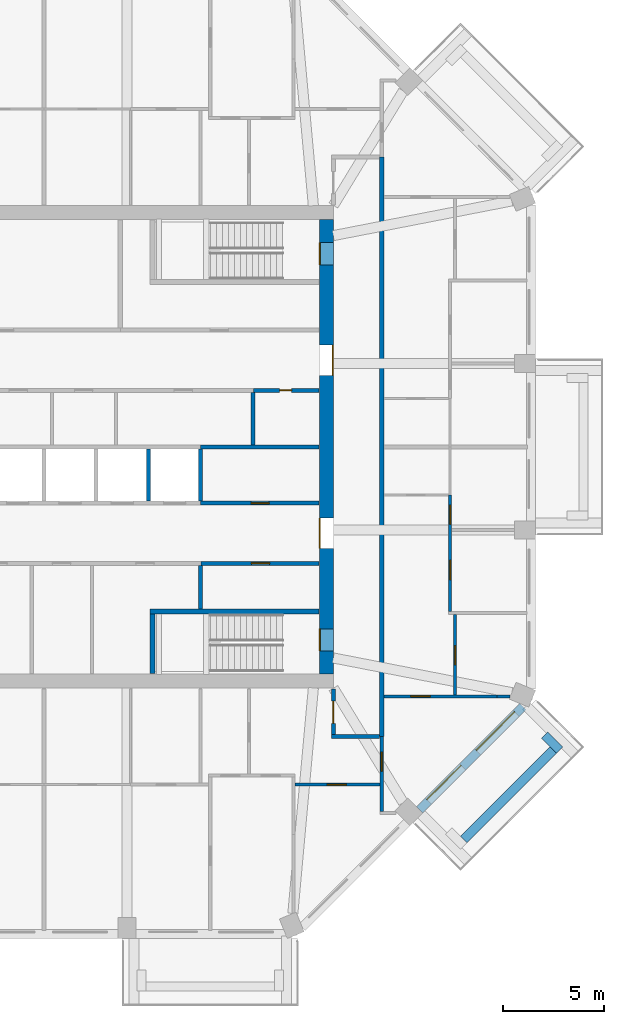
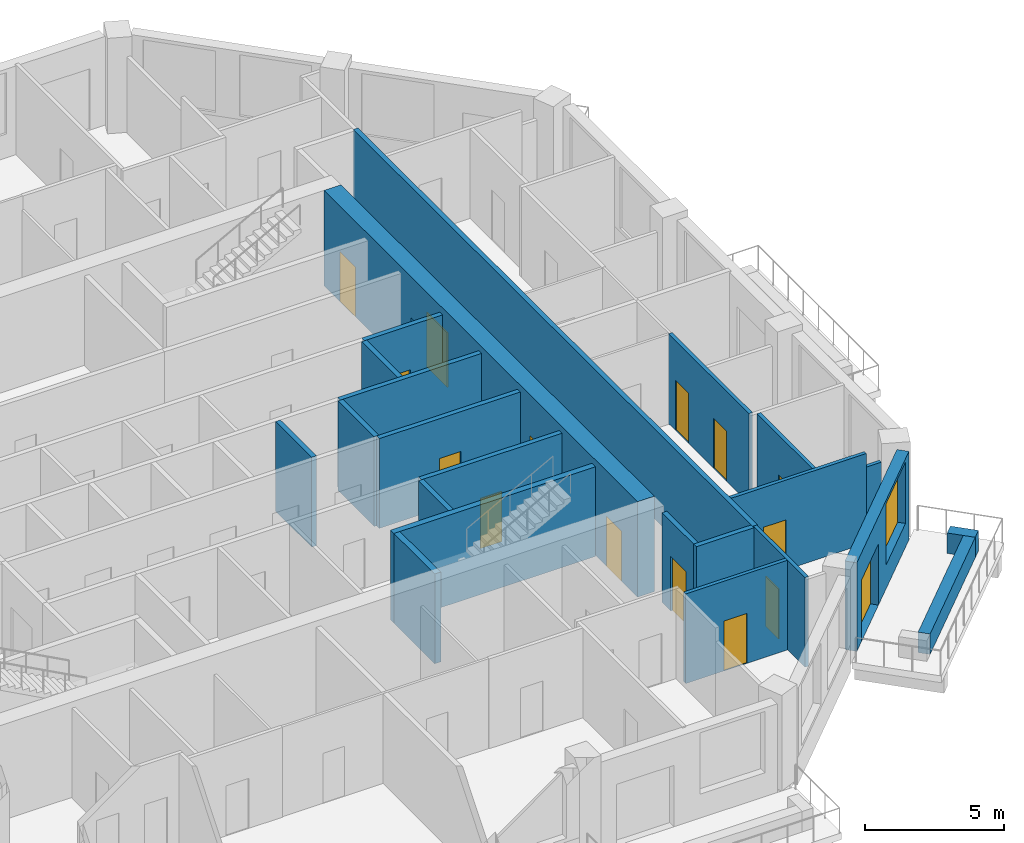
# One storey, part 6 of 12: 23 walls, 15 doors, 1 window, 16 openings.
"""IFC4 building model written with IfcOpenShell, lengths in metres."""

from ifc_helpers import new_model, si_unit, direction, frame, frame_2d, origin, place, context, subcontext, project, spatial, rectangle, extrude, material, layer, layer_set, type_object, element, fill, save


model = new_model("IFC4")

# Units and contexts
model_context = context("Model", 3, precision=1e-05, world=origin(), true_north=direction((0.0, 1.0)))
body_context = subcontext(model_context, "Body", "Model", "MODEL_VIEW")
ifc_project = project(units=[si_unit("LENGTHUNIT", "METRE"), si_unit("AREAUNIT", "SQUARE_METRE"), si_unit("VOLUMEUNIT", "CUBIC_METRE"), si_unit("PLANEANGLEUNIT", "RADIAN"), si_unit("MASSUNIT", "GRAM", prefix="KILO")], contexts=[model_context])

# Site, building, storey
site_placement = place(None, origin())
site = spatial("IfcSite", under=ifc_project, at=site_placement, CompositionType="ELEMENT")
building_placement = place(site_placement, origin())
building = spatial("IfcBuilding", under=site, at=building_placement, Name="Msitu Wima Residences", CompositionType="ELEMENT")
storey_placement = place(building_placement, frame((0.0, 0.0, 179.10009765625)))
storey = spatial("IfcBuildingStorey", under=building, at=storey_placement, Name="L41", CompositionType="ELEMENT", Elevation=179.10009765625)

# Walls
ifc_material_1 = material(Name="Facing brick")
ifc_layer_1 = layer(ifc_material_1, 0.06494140625, Name="Facing brick")
ifc_material_2 = material(Name="Concrete C40/50", Category="concrete")
ifc_layer_2 = layer(ifc_material_2, 0.156005859375, Name="Concrete C40/50")
ifc_material_3 = material(Name="Waterproofing membrane")
ifc_layer_3 = layer(ifc_material_3, 0.00390625, Name="Waterproofing membrane")
ifc_material_4 = material(Name="Planting soil and planting")
ifc_layer_4 = layer(ifc_material_4, 0.22509765625, Name="Planting soil and planting")
ifc_layer_set_1 = layer_set([ifc_layer_1, ifc_layer_2, ifc_layer_3, ifc_layer_4], Name="Concrete C40/50")
wall_type_1 = type_object("IfcWallType", Name="Balcony planter PLANTER PL450", PredefinedType="USERDEFINED", material=ifc_layer_set_1)
wall_1_placement = place(storey_placement, frame((20.875244140625, -19.53173828125, 0.0), z_axis=(0.0, 0.0, 1.0), x_axis=(0.707106781187, 0.707106781187, 0.0)))
element("IfcWall", 1, at=wall_1_placement, inside=storey, type_object=wall_type_1, Name="Balcony planter SE1 L41", ObjectType="PLANTER", PredefinedType="USERDEFINED", context=body_context, shape_type="SweptSolid", body=[
    extrude(rectangle(XDim=6.294189453125, YDim=0.449951171875, at=frame_2d((3.14697265625, 0.0))), origin(), (0.0, 0.0, 1.0), 0.89990234375),
])
wall_2_placement = place(storey_placement, frame((24.901611328125, -14.338623046875, 0.0), z_axis=(0.0, 0.0, 1.0), x_axis=(0.707106781187, -0.707106781187, 0.0)))
element("IfcWall", 2, at=wall_2_placement, inside=storey, type_object=wall_type_1, Name="Balcony planter SE1 L41", ObjectType="PLANTER", PredefinedType="USERDEFINED", context=body_context, shape_type="SweptSolid", body=[
    extrude(rectangle(XDim=1.050048828125, YDim=0.449951171875, at=frame_2d((0.52490234375, 0.0))), origin(), (0.0, 0.0, 1.0), 0.89990234375),
])

# Wall, openings, door, window
ifc_material_5 = material(Name="Brick (red buff mix)", Category="masonry")
ifc_layer_5 = layer(ifc_material_5, 0.449951171875)
ifc_layer_set_2 = layer_set([ifc_layer_5], Name="Brick (red buff mix)")
wall_type_2 = type_object("IfcWallType", Name="Brick infill wall BW450", PredefinedType="SOLIDWALL", material=ifc_layer_set_2)
wall_3_placement = place(storey_placement, frame((18.68310546875, -18.046875, 0.0), z_axis=(0.0, 0.0, 1.0), x_axis=(0.707106781187, 0.707106781187, 0.0)))
wall_3 = element("IfcWall", 3, at=wall_3_placement, inside=storey, type_object=wall_type_2, Name="Brick infill wall L41 SE1", PredefinedType="SOLIDWALL", context=body_context, shape_type="SweptSolid", body=[
    extrude(rectangle(XDim=7.257080078125, YDim=0.449951171875, at=frame_2d((3.62841796875, 0.0))), origin(), (0.0, 0.0, 1.0), 3.89990234375),
])
opening_1_placement = place(wall_3_placement, frame((0.6142578125, 0.0, 0.0)))
opening_1 = element("IfcOpeningElement", 4, at=opening_1_placement, cuts=wall_3, Name="Opening D40-42.008", PredefinedType="OPENING", context=body_context, shape_type="SweptSolid", body=[
    extrude(rectangle(XDim=2.39990234375, YDim=2.699951171875, at=frame_2d((1.199951171875, 1.35009765625))), frame((0.0, 0.23486328125, 0.0), z_axis=(0.0, -1.0, 0.0), x_axis=(1.0, 0.0, 0.0)), (0.0, 0.0, 1.0), 0.469970703125),
])
opening_2_placement = place(wall_3_placement, frame((4.07861328125, 0.0, 1.050048828125)))
opening_2 = element("IfcOpeningElement", 5, at=opening_2_placement, cuts=wall_3, Name="Opening W40-42.022", PredefinedType="OPENING", context=body_context, shape_type="SweptSolid", body=[
    extrude(rectangle(XDim=2.699951171875, YDim=2.699951171875, at=frame_2d((1.35009765625, 1.35009765625))), frame((0.0, 0.23486328125, 0.0), z_axis=(0.0, -1.0, 0.0), x_axis=(1.0, 0.0, 0.0)), (0.0, 0.0, 1.0), 0.469970703125),
])
ifc_material_6 = material(Name="Anodised aluminium, bronze finish, clear low-emissivity double glazing", Category="aluminium")
door_type_1 = type_object("IfcDoorType", Name="Balcony door D2400x2700", OperationType="SLIDING_TO_LEFT", PredefinedType="DOOR", material=ifc_material_6)
door_1_placement = place(opening_1_placement, origin())
door_1 = element("IfcDoor", 6, at=door_1_placement, inside=storey, type_object=door_type_1, Name="Balcony door L41 SE1", OperationType="SINGLE_SWING_LEFT", OverallHeight=2.699951171875, OverallWidth=2.39990234375, PredefinedType="DOOR", context=body_context, shape_type="SweptSolid", body=[
    extrude(rectangle(XDim=2.39990234375, YDim=2.699951171875, at=frame_2d((1.199951171875, 1.35009765625))), frame((0.0, 0.1298828125, 0.0), z_axis=(0.0, -1.0, 0.0), x_axis=(1.0, 0.0, 0.0)), (0.0, 0.0, 1.0), 0.050048828125),
])
fill(opening_1, door_1)
window_type = type_object("IfcWindowType", Name="Window W2700x2700", PartitioningType="DOUBLE_PANEL_VERTICAL", PredefinedType="WINDOW", material=ifc_material_6)
window_placement = place(opening_2_placement, origin())
window = element("IfcWindow", 7, at=window_placement, inside=storey, type_object=window_type, Name="Window L41 SE1.2", OverallHeight=2.699951171875, OverallWidth=2.699951171875, PartitioningType="SINGLE_PANEL", PredefinedType="WINDOW", context=body_context, shape_type="SweptSolid", body=[
    extrude(rectangle(XDim=2.699951171875, YDim=2.699951171875, at=frame_2d((1.35009765625, 1.35009765625))), frame((0.0, 0.135009765625, 0.0), z_axis=(0.0, -1.0, 0.0), x_axis=(1.0, 0.0, 0.0)), (0.0, 0.0, 1.0), 0.06005859375),
])
fill(opening_2, window)

# Wall, openings, doors
ifc_material_7 = material(Name="Concrete C60/75", Category="concrete")
ifc_layer_6 = layer(ifc_material_7, 0.699951171875)
ifc_layer_set_3 = layer_set([ifc_layer_6], Name="Concrete C60/75")
wall_type_3 = type_object("IfcWallType", Name="Core wall CW700 C60/75", PredefinedType="SHEAR", material=ifc_layer_set_3)
wall_4_placement = place(storey_placement, frame((14.050048828125, -11.300048828125, 0.0), z_axis=(0.0, 0.0, 1.0), x_axis=(0.0, 1.0, 0.0)))
wall_4 = element("IfcWall", 8, at=wall_4_placement, inside=storey, type_object=wall_type_3, Name="Core wall", PredefinedType="SHEAR", context=body_context, shape_type="SweptSolid", body=[
    extrude(rectangle(XDim=22.60009765625, YDim=0.699951171875, at=frame_2d((11.300048828125, 0.0))), origin(), (0.0, 0.0, 1.0), 4.199951171875),
])
opening_3_placement = place(wall_4_placement, frame((20.35009765625, 0.0, 0.0)))
opening_3 = element("IfcOpeningElement", 9, at=opening_3_placement, cuts=wall_4, Name="Opening D40-42.091", PredefinedType="OPENING", context=body_context, shape_type="SweptSolid", body=[
    extrude(rectangle(XDim=1.10009765625, YDim=2.199951171875, at=frame_2d((0.550048828125, 1.10009765625))), frame((0.0, 0.35986328125, 0.0), z_axis=(0.0, -1.0, 0.0), x_axis=(1.0, 0.0, 0.0)), (0.0, 0.0, 1.0), 0.719970703125),
])
opening_4_placement = place(wall_4_placement, frame((1.14990234375, 0.0, 0.0)))
opening_4 = element("IfcOpeningElement", 10, at=opening_4_placement, cuts=wall_4, Name="Opening D40-42.092", PredefinedType="OPENING", context=body_context, shape_type="SweptSolid", body=[
    extrude(rectangle(XDim=1.10009765625, YDim=2.199951171875, at=frame_2d((0.550048828125, 1.10009765625))), frame((0.0, 0.35986328125, 0.0), z_axis=(0.0, -1.0, 0.0), x_axis=(1.0, 0.0, 0.0)), (0.0, 0.0, 1.0), 0.719970703125),
])
opening_5_placement = place(wall_4_placement, frame((14.85009765625, 0.0, 0.0)))
opening_5 = element("IfcOpeningElement", 11, at=opening_5_placement, cuts=wall_4, Name="Opening D40-42.079", PredefinedType="OPENING", context=body_context, shape_type="SweptSolid", body=[
    extrude(rectangle(XDim=1.5, YDim=2.39990234375, at=frame_2d((0.75, 1.199951171875))), frame((0.0, 0.35986328125, 0.0), z_axis=(0.0, -1.0, 0.0), x_axis=(1.0, 0.0, 0.0)), (0.0, 0.0, 1.0), 0.719970703125),
])
opening_6_placement = place(wall_4_placement, frame((6.25, 0.0, 0.0)))
opening_6 = element("IfcOpeningElement", 12, at=opening_6_placement, cuts=wall_4, Name="Opening D40-42.080", PredefinedType="OPENING", context=body_context, shape_type="SweptSolid", body=[
    extrude(rectangle(XDim=1.5, YDim=2.39990234375, at=frame_2d((0.75, 1.199951171875))), frame((0.0, 0.35986328125, 0.0), z_axis=(0.0, -1.0, 0.0), x_axis=(1.0, 0.0, 0.0)), (0.0, 0.0, 1.0), 0.719970703125),
])
ifc_material_8 = material(Name="Steel framed glazed door, fire resisting", Category="steel")
door_type_2 = type_object("IfcDoorType", Name="Lobby door D07 1500x2400", OperationType="DOUBLE_DOOR_SINGLE_SWING", PredefinedType="DOOR", material=ifc_material_8)
door_2_placement = place(opening_5_placement, origin())
door_2 = element("IfcDoor", 13, at=door_2_placement, inside=storey, type_object=door_type_2, Name="Lobby door", OperationType="DOUBLE_DOOR_SINGLE_SWING", OverallHeight=2.39990234375, OverallWidth=1.5, PredefinedType="DOOR", context=body_context, shape_type="SweptSolid", body=[
    extrude(rectangle(XDim=1.5, YDim=2.39990234375, at=frame_2d((0.75, 1.199951171875))), frame((0.0, -0.294921875, 0.0), z_axis=(0.0, -1.0, 0.0), x_axis=(1.0, 0.0, 0.0)), (0.0, 0.0, 1.0), 0.050048828125),
])
fill(opening_5, door_2)
door_3_placement = place(opening_6_placement, origin())
door_3 = element("IfcDoor", 14, at=door_3_placement, inside=storey, type_object=door_type_2, Name="Lobby door", OperationType="DOUBLE_DOOR_SINGLE_SWING", OverallHeight=2.39990234375, OverallWidth=1.5, PredefinedType="DOOR", context=body_context, shape_type="SweptSolid", body=[
    extrude(rectangle(XDim=1.5, YDim=2.39990234375, at=frame_2d((0.75, 1.199951171875))), frame((0.0, 0.34521484375, 0.0), z_axis=(0.0, -1.0, 0.0), x_axis=(1.0, 0.0, 0.0)), (0.0, 0.0, 1.0), 0.050048828125),
])
fill(opening_6, door_3)
ifc_material_9 = material(Name="Steel door, fire resisting, panic bar", Category="steel")
door_type_3 = type_object("IfcDoorType", Name="Stair door D06 1100x2200", OperationType="SINGLE_SWING_LEFT", PredefinedType="DOOR", material=ifc_material_9)
door_4_placement = place(opening_3_placement, origin())
door_4 = element("IfcDoor", 15, at=door_4_placement, inside=storey, type_object=door_type_3, Name="Stair door", OperationType="SINGLE_SWING_LEFT", OverallHeight=2.199951171875, OverallWidth=1.10009765625, PredefinedType="DOOR", context=body_context, shape_type="SweptSolid", body=[
    extrude(rectangle(XDim=1.10009765625, YDim=2.199951171875, at=frame_2d((0.550048828125, 1.10009765625))), frame((0.0, 0.34521484375, 0.0), z_axis=(0.0, -1.0, 0.0), x_axis=(1.0, 0.0, 0.0)), (0.0, 0.0, 1.0), 0.050048828125),
])
fill(opening_3, door_4)
door_5_placement = place(opening_4_placement, origin())
door_5 = element("IfcDoor", 16, at=door_5_placement, inside=storey, type_object=door_type_3, Name="Stair door", OperationType="SINGLE_SWING_RIGHT", OverallHeight=2.199951171875, OverallWidth=1.10009765625, PredefinedType="DOOR", context=body_context, shape_type="SweptSolid", body=[
    extrude(rectangle(XDim=1.10009765625, YDim=2.199951171875, at=frame_2d((0.550048828125, 1.10009765625))), frame((0.0, 0.34521484375, 0.0), z_axis=(0.0, -1.0, 0.0), x_axis=(1.0, 0.0, 0.0)), (0.0, 0.0, 1.0), 0.050048828125),
])
fill(opening_4, door_5)

# Wall, opening, door
ifc_material_10 = material(Name="Plaster")
ifc_layer_7 = layer(ifc_material_10, 0.011962890625, Name="Plaster")
ifc_material_11 = material(Name="Concrete blockwork", Category="masonry")
ifc_layer_8 = layer(ifc_material_11, 0.176025390625, Name="Concrete blockwork")
ifc_layer_9 = layer(ifc_material_10, 0.011962890625, Name="Plaster")
ifc_layer_set_4 = layer_set([ifc_layer_7, ifc_layer_8, ifc_layer_9], Name="Concrete blockwork")
wall_type_4 = type_object("IfcWallType", Name="Corridor wall FW200", PredefinedType="PARTITIONING", material=ifc_layer_set_4)
wall_5_placement = place(storey_placement, frame((14.39990234375, -14.300048828125, 0.0), z_axis=(0.0, 0.0, 1.0), x_axis=(0.0, 1.0, 0.0)))
wall_5 = element("IfcWall", 17, at=wall_5_placement, inside=storey, type_object=wall_type_4, Name="Corridor wall", PredefinedType="PARTITIONING", context=body_context, shape_type="SweptSolid", body=[
    extrude(rectangle(XDim=2.27001953125, YDim=0.199951171875, at=frame_2d((1.135009765625, 0.0))), origin(), (0.0, 0.0, 1.0), 3.949951171875),
])
opening_7_placement = place(wall_5_placement, frame((0.550048828125, 0.0, 0.0)))
opening_7 = element("IfcOpeningElement", 18, at=opening_7_placement, cuts=wall_5, Name="Opening D40-42.053", PredefinedType="OPENING", context=body_context, shape_type="SweptSolid", body=[
    extrude(rectangle(XDim=1.10009765625, YDim=2.39990234375, at=frame_2d((0.550048828125, 1.199951171875))), frame((0.0, 0.10986328125, 0.0), z_axis=(0.0, -1.0, 0.0), x_axis=(1.0, 0.0, 0.0)), (0.0, 0.0, 1.0), 0.219970703125),
])
ifc_material_12 = material(Name="Timber flush door, fire resisting, self-closing", Category="wood")
door_type_4 = type_object("IfcDoorType", Name="Flat entrance door D01 1100x2400", OperationType="SINGLE_SWING_LEFT", PredefinedType="DOOR", material=ifc_material_12)
door_6_placement = place(opening_7_placement, origin())
door_6 = element("IfcDoor", 19, at=door_6_placement, inside=storey, type_object=door_type_4, Name="Flat entrance door", OperationType="SINGLE_SWING_RIGHT", OverallHeight=2.39990234375, OverallWidth=1.10009765625, PredefinedType="DOOR", context=body_context, shape_type="SweptSolid", body=[
    extrude(rectangle(XDim=1.10009765625, YDim=2.39990234375, at=frame_2d((0.550048828125, 1.199951171875))), frame((0.0, 0.02490234375, 0.0), z_axis=(0.0, -1.0, 0.0), x_axis=(1.0, 0.0, 0.0)), (0.0, 0.0, 1.0), 0.050048828125),
])
fill(opening_7, door_6)

# Walls
wall_6_placement = place(storey_placement, frame((14.300048828125, -14.39990234375, 0.0), z_axis=(0.0, 0.0, 1.0), x_axis=(1.0, 0.0, 0.0)))
element("IfcWall", 20, at=wall_6_placement, inside=storey, type_object=wall_type_4, Name="Corridor wall", PredefinedType="PARTITIONING", context=body_context, shape_type="SweptSolid", body=[
    extrude(rectangle(XDim=2.39990234375, YDim=0.199951171875, at=frame_2d((1.199951171875, 0.0))), origin(), (0.0, 0.0, 1.0), 3.949951171875),
])
wall_7_placement = place(storey_placement, frame((16.800048828125, -14.39990234375, 0.0), z_axis=(0.0, 0.0, 1.0), x_axis=(0.0, 1.0, 0.0)))
element("IfcWall", 21, at=wall_7_placement, inside=storey, type_object=wall_type_4, Name="Corridor wall", PredefinedType="PARTITIONING", context=body_context, shape_type="SweptSolid", body=[
    extrude(rectangle(XDim=28.7998046875, YDim=0.199951171875, at=frame_2d((14.39990234375, 0.0))), origin(), (0.0, 0.0, 1.0), 3.949951171875),
])

# Wall, opening, door
ifc_layer_10 = layer(ifc_material_10, 0.011962890625, Name="Plaster")
ifc_layer_11 = layer(ifc_material_11, 0.1259765625, Name="Concrete blockwork")
ifc_layer_12 = layer(ifc_material_10, 0.011962890625, Name="Plaster")
ifc_layer_set_5 = layer_set([ifc_layer_10, ifc_layer_11, ifc_layer_12], Name="Concrete blockwork")
wall_type_5 = type_object("IfcWallType", Name="Partition PW150", PredefinedType="PARTITIONING", material=ifc_layer_set_5)
wall_8_placement = place(storey_placement, frame((12.48681640625, -16.800048828125, 0.0), z_axis=(0.0, 0.0, 1.0), x_axis=(1.0, 0.0, 0.0)))
wall_8 = element("IfcWall", 22, at=wall_8_placement, inside=storey, type_object=wall_type_5, Name="Partition", PredefinedType="PARTITIONING", context=body_context, shape_type="SweptSolid", body=[
    extrude(rectangle(XDim=4.23828125, YDim=0.14990234375, at=frame_2d((2.119140625, 0.0))), origin(), (0.0, 0.0, 1.0), 3.949951171875),
])
opening_8_placement = place(wall_8_placement, frame((1.60009765625, 0.0, 0.0)))
opening_8 = element("IfcOpeningElement", 23, at=opening_8_placement, cuts=wall_8, Name="Opening D40-42.060", PredefinedType="OPENING", context=body_context, shape_type="SweptSolid", body=[
    extrude(rectangle(XDim=0.949951171875, YDim=2.199951171875, at=frame_2d((0.47509765625, 1.10009765625))), frame((0.0, 0.0849609375, 0.0), z_axis=(0.0, -1.0, 0.0), x_axis=(1.0, 0.0, 0.0)), (0.0, 0.0, 1.0), 0.169921875),
])
ifc_material_13 = material(Name="Timber flush door", Category="wood")
door_type_5 = type_object("IfcDoorType", Name="Room door D12 950x2200", OperationType="SINGLE_SWING_LEFT", PredefinedType="DOOR", material=ifc_material_13)
door_7_placement = place(opening_8_placement, origin())
door_7 = element("IfcDoor", 24, at=door_7_placement, inside=storey, type_object=door_type_5, Name="Room door", OperationType="SINGLE_SWING_RIGHT", OverallHeight=2.199951171875, OverallWidth=0.949951171875, PredefinedType="DOOR", context=body_context, shape_type="SweptSolid", body=[
    extrude(rectangle(XDim=0.949951171875, YDim=2.199951171875, at=frame_2d((0.47509765625, 1.10009765625))), frame((0.0, 0.02490234375, 0.0), z_axis=(0.0, -1.0, 0.0), x_axis=(1.0, 0.0, 0.0)), (0.0, 0.0, 1.0), 0.050048828125),
])
fill(opening_8, door_7)

wall_9_placement = place(storey_placement, frame((16.800048828125, -18.130859375, 0.0), z_axis=(0.0, 0.0, 1.0), x_axis=(0.0, 1.0, 0.0)))
wall_9 = element("IfcWall", 25, at=wall_9_placement, inside=storey, type_object=wall_type_5, Name="Partition", PredefinedType="PARTITIONING", context=body_context, shape_type="SweptSolid", body=[
    extrude(rectangle(XDim=3.73095703125, YDim=0.14990234375, at=frame_2d((1.865478515625, 0.0))), origin(), (0.0, 0.0, 1.0), 3.949951171875),
])
opening_9_placement = place(wall_9_placement, frame((2.0, 0.0, 0.0)))
opening_9 = element("IfcOpeningElement", 26, at=opening_9_placement, cuts=wall_9, Name="Opening D40-42.061", PredefinedType="OPENING", context=body_context, shape_type="SweptSolid", body=[
    extrude(rectangle(XDim=0.949951171875, YDim=2.199951171875, at=frame_2d((0.47509765625, 1.10009765625))), frame((0.0, 0.0849609375, 0.0), z_axis=(0.0, -1.0, 0.0), x_axis=(1.0, 0.0, 0.0)), (0.0, 0.0, 1.0), 0.169921875),
])
door_8_placement = place(opening_9_placement, origin())
door_8 = element("IfcDoor", 27, at=door_8_placement, inside=storey, type_object=door_type_5, Name="Room door", OperationType="SINGLE_SWING_RIGHT", OverallHeight=2.199951171875, OverallWidth=0.949951171875, PredefinedType="DOOR", context=body_context, shape_type="SweptSolid", body=[
    extrude(rectangle(XDim=0.949951171875, YDim=2.199951171875, at=frame_2d((0.47509765625, 1.10009765625))), frame((0.0, 0.02490234375, 0.0), z_axis=(0.0, -1.0, 0.0), x_axis=(1.0, 0.0, 0.0)), (0.0, 0.0, 1.0), 0.050048828125),
])
fill(opening_9, door_8)

wall_10_placement = place(storey_placement, frame((16.89990234375, -12.411865234375, 0.0), z_axis=(0.0, 0.0, 1.0), x_axis=(1.0, 0.0, 0.0)))
wall_10 = element("IfcWall", 28, at=wall_10_placement, inside=storey, type_object=wall_type_5, Name="Partition", PredefinedType="PARTITIONING", context=body_context, shape_type="SweptSolid", body=[
    extrude(rectangle(XDim=5.638427734375, YDim=0.14990234375, at=frame_2d((2.8193359375, 0.0))), origin(), (0.0, 0.0, 1.0), 3.949951171875),
])
opening_10_placement = place(wall_10_placement, frame((1.35009765625, 0.0, 0.0)))
opening_10 = element("IfcOpeningElement", 29, at=opening_10_placement, cuts=wall_10, Name="Opening D40-42.063", PredefinedType="OPENING", context=body_context, shape_type="SweptSolid", body=[
    extrude(rectangle(XDim=0.949951171875, YDim=2.199951171875, at=frame_2d((0.47509765625, 1.10009765625))), frame((0.0, 0.0849609375, 0.0), z_axis=(0.0, -1.0, 0.0), x_axis=(1.0, 0.0, 0.0)), (0.0, 0.0, 1.0), 0.169921875),
])
door_9_placement = place(opening_10_placement, origin())
door_9 = element("IfcDoor", 30, at=door_9_placement, inside=storey, type_object=door_type_5, Name="Room door", OperationType="SINGLE_SWING_RIGHT", OverallHeight=2.199951171875, OverallWidth=0.949951171875, PredefinedType="DOOR", context=body_context, shape_type="SweptSolid", body=[
    extrude(rectangle(XDim=0.949951171875, YDim=2.199951171875, at=frame_2d((0.47509765625, 1.10009765625))), frame((0.0, 0.02490234375, 0.0), z_axis=(0.0, -1.0, 0.0), x_axis=(1.0, 0.0, 0.0)), (0.0, 0.0, 1.0), 0.050048828125),
])
fill(opening_10, door_9)

# Wall
wall_11_placement = place(storey_placement, frame((22.538330078125, -12.411865234375, 0.0), z_axis=(0.0, 0.0, 1.0), x_axis=(1.0, 0.0, 0.0)))
element("IfcWall", 31, at=wall_11_placement, inside=storey, type_object=wall_type_5, Name="Partition", PredefinedType="PARTITIONING", context=body_context, shape_type="SweptSolid", body=[
    extrude(rectangle(XDim=0.630615234375, YDim=0.14990234375, at=frame_2d((0.3154296875, 0.0))), origin(), (0.0, 0.0, 1.0), 3.349853515625),
])

# Wall, openings, doors
wall_12_placement = place(storey_placement, frame((20.199951171875, -8.199462890625, 0.0), z_axis=(0.0, 0.0, 1.0), x_axis=(0.0, 1.0, 0.0)))
wall_12 = element("IfcWall", 32, at=wall_12_placement, inside=storey, type_object=wall_type_5, Name="Partition", PredefinedType="PARTITIONING", context=body_context, shape_type="SweptSolid", body=[
    extrude(rectangle(XDim=5.799560546875, YDim=0.14990234375, at=frame_2d((2.89990234375, 0.0))), origin(), (0.0, 0.0, 1.0), 3.949951171875),
])
opening_11_placement = place(wall_12_placement, frame((4.35009765625, 0.0, 0.0)))
opening_11 = element("IfcOpeningElement", 33, at=opening_11_placement, cuts=wall_12, Name="Opening D40-42.064", PredefinedType="OPENING", context=body_context, shape_type="SweptSolid", body=[
    extrude(rectangle(XDim=0.949951171875, YDim=2.199951171875, at=frame_2d((0.47509765625, 1.10009765625))), frame((0.0, 0.0849609375, 0.0), z_axis=(0.0, -1.0, 0.0), x_axis=(1.0, 0.0, 0.0)), (0.0, 0.0, 1.0), 0.169921875),
])
opening_12_placement = place(wall_12_placement, frame((1.60009765625, 0.0, 0.0)))
opening_12 = element("IfcOpeningElement", 34, at=opening_12_placement, cuts=wall_12, Name="Opening D40-42.065", PredefinedType="OPENING", context=body_context, shape_type="SweptSolid", body=[
    extrude(rectangle(XDim=0.949951171875, YDim=2.199951171875, at=frame_2d((0.47509765625, 1.10009765625))), frame((0.0, 0.0849609375, 0.0), z_axis=(0.0, -1.0, 0.0), x_axis=(1.0, 0.0, 0.0)), (0.0, 0.0, 1.0), 0.169921875),
])
door_10_placement = place(opening_11_placement, origin())
door_10 = element("IfcDoor", 35, at=door_10_placement, inside=storey, type_object=door_type_5, Name="Room door", OperationType="SINGLE_SWING_RIGHT", OverallHeight=2.199951171875, OverallWidth=0.949951171875, PredefinedType="DOOR", context=body_context, shape_type="SweptSolid", body=[
    extrude(rectangle(XDim=0.949951171875, YDim=2.199951171875, at=frame_2d((0.47509765625, 1.10009765625))), frame((0.0, 0.02490234375, 0.0), z_axis=(0.0, -1.0, 0.0), x_axis=(1.0, 0.0, 0.0)), (0.0, 0.0, 1.0), 0.050048828125),
])
fill(opening_11, door_10)
door_11_placement = place(opening_12_placement, origin())
door_11 = element("IfcDoor", 36, at=door_11_placement, inside=storey, type_object=door_type_5, Name="Room door", OperationType="SINGLE_SWING_LEFT", OverallHeight=2.199951171875, OverallWidth=0.949951171875, PredefinedType="DOOR", context=body_context, shape_type="SweptSolid", body=[
    extrude(rectangle(XDim=0.949951171875, YDim=2.199951171875, at=frame_2d((0.47509765625, 1.10009765625))), frame((0.0, 0.02490234375, 0.0), z_axis=(0.0, -1.0, 0.0), x_axis=(1.0, 0.0, 0.0)), (0.0, 0.0, 1.0), 0.050048828125),
])
fill(opening_12, door_11)

# Wall, opening, door
wall_13_placement = place(storey_placement, frame((20.449951171875, -12.336669921875, 0.0), z_axis=(0.0, 0.0, 1.0), x_axis=(0.0, 1.0, 0.0)))
wall_13 = element("IfcWall", 37, at=wall_13_placement, inside=storey, type_object=wall_type_5, Name="Partition", PredefinedType="PARTITIONING", context=body_context, shape_type="SweptSolid", body=[
    extrude(rectangle(XDim=3.987060546875, YDim=0.14990234375, at=frame_2d((1.99365234375, 0.0))), origin(), (0.0, 0.0, 1.0), 3.949951171875),
])
opening_13_placement = place(wall_13_placement, frame((1.5, 0.0, 0.0)))
opening_13 = element("IfcOpeningElement", 38, at=opening_13_placement, cuts=wall_13, Name="Opening D40-42.066", PredefinedType="OPENING", context=body_context, shape_type="SweptSolid", body=[
    extrude(rectangle(XDim=0.949951171875, YDim=2.199951171875, at=frame_2d((0.47509765625, 1.10009765625))), frame((0.0, 0.0849609375, 0.0), z_axis=(0.0, -1.0, 0.0), x_axis=(1.0, 0.0, 0.0)), (0.0, 0.0, 1.0), 0.169921875),
])
door_12_placement = place(opening_13_placement, origin())
door_12 = element("IfcDoor", 39, at=door_12_placement, inside=storey, type_object=door_type_5, Name="Room door", OperationType="SINGLE_SWING_LEFT", OverallHeight=2.199951171875, OverallWidth=0.949951171875, PredefinedType="DOOR", context=body_context, shape_type="SweptSolid", body=[
    extrude(rectangle(XDim=0.949951171875, YDim=2.199951171875, at=frame_2d((0.47509765625, 1.10009765625))), frame((0.0, 0.02490234375, 0.0), z_axis=(0.0, -1.0, 0.0), x_axis=(1.0, 0.0, 0.0)), (0.0, 0.0, 1.0), 0.050048828125),
])
fill(opening_13, door_12)

ifc_layer_13 = layer(ifc_material_10, 0.011962890625, Name="Plaster")
ifc_material_14 = material(Name="Reinforced concrete blockwork", Category="masonry")
ifc_layer_14 = layer(ifc_material_14, 0.176025390625, Name="Reinforced concrete blockwork")
ifc_layer_15 = layer(ifc_material_10, 0.011962890625, Name="Plaster")
ifc_layer_set_6 = layer_set([ifc_layer_13, ifc_layer_14, ifc_layer_15], Name="Reinforced concrete blockwork")
wall_type_6 = type_object("IfcWallType", Name="Plant and riser wall PL200", PredefinedType="PARTITIONING", material=ifc_layer_set_6)
wall_14_placement = place(storey_placement, frame((7.820068359375, -5.800048828125, 0.0), z_axis=(0.0, 0.0, 1.0), x_axis=(1.0, 0.0, 0.0)))
wall_14 = element("IfcWall", 40, at=wall_14_placement, inside=storey, type_object=wall_type_6, Name="Plant and riser wall", PredefinedType="PARTITIONING", context=body_context, shape_type="SweptSolid", body=[
    extrude(rectangle(XDim=5.849853515625, YDim=0.199951171875, at=frame_2d((2.9248046875, 0.0))), origin(), (0.0, 0.0, 1.0), 3.949951171875),
])
opening_14_placement = place(wall_14_placement, frame((2.5, 0.0, 0.0)))
opening_14 = element("IfcOpeningElement", 41, at=opening_14_placement, cuts=wall_14, Name="Opening D40-42.078", PredefinedType="OPENING", context=body_context, shape_type="SweptSolid", body=[
    extrude(rectangle(XDim=0.89990234375, YDim=2.199951171875, at=frame_2d((0.449951171875, 1.10009765625))), frame((0.0, 0.10986328125, 0.0), z_axis=(0.0, -1.0, 0.0), x_axis=(1.0, 0.0, 0.0)), (0.0, 0.0, 1.0), 0.219970703125),
])
door_type_6 = type_object("IfcDoorType", Name="Service door D05 900x2200", OperationType="SINGLE_SWING_LEFT", PredefinedType="DOOR", material=ifc_material_13)
door_13_placement = place(opening_14_placement, origin())
door_13 = element("IfcDoor", 42, at=door_13_placement, inside=storey, type_object=door_type_6, Name="Service door", OperationType="SINGLE_SWING_RIGHT", OverallHeight=2.199951171875, OverallWidth=0.89990234375, PredefinedType="DOOR", context=body_context, shape_type="SweptSolid", body=[
    extrude(rectangle(XDim=0.89990234375, YDim=2.199951171875, at=frame_2d((0.449951171875, 1.10009765625))), frame((0.0, 0.02490234375, 0.0), z_axis=(0.0, -1.0, 0.0), x_axis=(1.0, 0.0, 0.0)), (0.0, 0.0, 1.0), 0.050048828125),
])
fill(opening_14, door_13)

wall_15_placement = place(storey_placement, frame((7.800048828125, -2.800048828125, 0.0), z_axis=(0.0, 0.0, 1.0), x_axis=(1.0, 0.0, 0.0)))
wall_15 = element("IfcWall", 43, at=wall_15_placement, inside=storey, type_object=wall_type_6, Name="Plant and riser wall", PredefinedType="PARTITIONING", context=body_context, shape_type="SweptSolid", body=[
    extrude(rectangle(XDim=5.869873046875, YDim=0.199951171875, at=frame_2d((2.93505859375, 0.0))), origin(), (0.0, 0.0, 1.0), 3.949951171875),
])
opening_15_placement = place(wall_15_placement, frame((2.5, 0.0, 0.0)))
opening_15 = element("IfcOpeningElement", 44, at=opening_15_placement, cuts=wall_15, Name="Opening D40-42.067", PredefinedType="OPENING", context=body_context, shape_type="SweptSolid", body=[
    extrude(rectangle(XDim=0.89990234375, YDim=2.199951171875, at=frame_2d((0.449951171875, 1.10009765625))), frame((0.0, 0.10986328125, 0.0), z_axis=(0.0, -1.0, 0.0), x_axis=(1.0, 0.0, 0.0)), (0.0, 0.0, 1.0), 0.219970703125),
])
door_14_placement = place(opening_15_placement, origin())
door_14 = element("IfcDoor", 45, at=door_14_placement, inside=storey, type_object=door_type_6, Name="Service door", OperationType="SINGLE_SWING_LEFT", OverallHeight=2.199951171875, OverallWidth=0.89990234375, PredefinedType="DOOR", context=body_context, shape_type="SweptSolid", body=[
    extrude(rectangle(XDim=0.89990234375, YDim=2.199951171875, at=frame_2d((0.449951171875, 1.10009765625))), frame((0.0, 0.02490234375, 0.0), z_axis=(0.0, -1.0, 0.0), x_axis=(1.0, 0.0, 0.0)), (0.0, 0.0, 1.0), 0.050048828125),
])
fill(opening_15, door_14)

# Walls
wall_16_placement = place(storey_placement, frame((7.800048828125, -8.074951171875, 0.0), z_axis=(0.0, 0.0, 1.0), x_axis=(0.0, 1.0, 0.0)))
element("IfcWall", 46, at=wall_16_placement, inside=storey, type_object=wall_type_6, Name="Plant and riser wall", PredefinedType="PARTITIONING", context=body_context, shape_type="SweptSolid", body=[
    extrude(rectangle(XDim=2.175048828125, YDim=0.199951171875, at=frame_2d((1.08740234375, 0.0))), origin(), (0.0, 0.0, 1.0), 3.949951171875),
])
wall_17_placement = place(storey_placement, frame((7.800048828125, 0.0, 0.0), z_axis=(0.0, 0.0, 1.0), x_axis=(1.0, 0.0, 0.0)))
element("IfcWall", 47, at=wall_17_placement, inside=storey, type_object=wall_type_6, Name="Plant and riser wall", PredefinedType="PARTITIONING", context=body_context, shape_type="SweptSolid", body=[
    extrude(rectangle(XDim=5.869873046875, YDim=0.199951171875, at=frame_2d((2.93505859375, 0.0))), origin(), (0.0, 0.0, 1.0), 3.949951171875),
])

# Wall, opening, door
wall_18_placement = place(storey_placement, frame((10.419921875, 2.800048828125, 0.0), z_axis=(0.0, 0.0, 1.0), x_axis=(1.0, 0.0, 0.0)))
wall_18 = element("IfcWall", 48, at=wall_18_placement, inside=storey, type_object=wall_type_6, Name="Plant and riser wall", PredefinedType="PARTITIONING", context=body_context, shape_type="SweptSolid", body=[
    extrude(rectangle(XDim=3.25, YDim=0.199951171875, at=frame_2d((1.625, 0.0))), origin(), (0.0, 0.0, 1.0), 3.949951171875),
])
opening_16_placement = place(wall_18_placement, frame((1.300048828125, 0.0, 0.0)))
opening_16 = element("IfcOpeningElement", 49, at=opening_16_placement, cuts=wall_18, Name="Opening D40-42.085", PredefinedType="OPENING", context=body_context, shape_type="SweptSolid", body=[
    extrude(rectangle(XDim=0.60009765625, YDim=2.0, at=frame_2d((0.300048828125, 1.0))), frame((0.0, 0.10986328125, 0.0), z_axis=(0.0, -1.0, 0.0), x_axis=(1.0, 0.0, 0.0)), (0.0, 0.0, 1.0), 0.219970703125),
])
ifc_material_15 = material(Name="Steel access door, fire resisting", Category="steel")
door_type_7 = type_object("IfcDoorType", Name="Riser access door D08 600x2000", OperationType="SINGLE_SWING_LEFT", PredefinedType="DOOR", material=ifc_material_15)
door_15_placement = place(opening_16_placement, origin())
door_15 = element("IfcDoor", 50, at=door_15_placement, inside=storey, type_object=door_type_7, Name="Riser access door", OperationType="SINGLE_SWING_RIGHT", OverallHeight=2.0, OverallWidth=0.60009765625, PredefinedType="DOOR", context=body_context, shape_type="SweptSolid", body=[
    extrude(rectangle(XDim=0.60009765625, YDim=2.0, at=frame_2d((0.300048828125, 1.0))), frame((0.0, 0.02490234375, 0.0), z_axis=(0.0, -1.0, 0.0), x_axis=(1.0, 0.0, 0.0)), (0.0, 0.0, 1.0), 0.050048828125),
])
fill(opening_16, door_15)

# Walls
wall_19_placement = place(storey_placement, frame((10.39990234375, 0.10009765625, 0.0), z_axis=(0.0, 0.0, 1.0), x_axis=(0.0, 1.0, 0.0)))
element("IfcWall", 51, at=wall_19_placement, inside=storey, type_object=wall_type_6, Name="Plant and riser wall", PredefinedType="PARTITIONING", context=body_context, shape_type="SweptSolid", body=[
    extrude(rectangle(XDim=2.599853515625, YDim=0.199951171875, at=frame_2d((1.2998046875, 0.0))), origin(), (0.0, 0.0, 1.0), 3.949951171875),
])
ifc_material_16 = material(Name="Fire-rated board")
ifc_layer_16 = layer(ifc_material_16, 0.02490234375, Name="Fire-rated board")
ifc_material_17 = material(Name="Light-gauge stud framing with mineral wool")
ifc_layer_17 = layer(ifc_material_17, 0.14990234375, Name="Light-gauge stud framing with mineral wool")
ifc_layer_18 = layer(ifc_material_16, 0.02490234375, Name="Fire-rated board")
ifc_layer_set_7 = layer_set([ifc_layer_16, ifc_layer_17, ifc_layer_18], Name="Light-gauge stud framing with mineral wool")
wall_type_7 = type_object("IfcWallType", Name="Shaft wall SH200", PredefinedType="PARTITIONING", material=ifc_layer_set_7)
for number, where, z_axis, x_axis, name in (
    (52, (5.199951171875, -2.699951171875, 0.0), (0.0, 0.0, 1.0), (0.0, 1.0, 0.0), "Shaft wall"),
    (53, (7.800048828125, -2.699951171875, 0.0), (0.0, 0.0, 1.0), (0.0, 1.0, 0.0), "Shaft wall"),
):
    element("IfcWall", number, at=place(storey_placement, frame(where, z_axis=z_axis, x_axis=x_axis)), inside=storey, type_object=wall_type_7, Name=name, PredefinedType="PARTITIONING", context=body_context, shape_type="SweptSolid", body=[
        extrude(rectangle(XDim=2.599853515625, YDim=0.199951171875, at=frame_2d((1.2998046875, 0.0))), origin(), (0.0, 0.0, 1.0), 3.949951171875),
    ])
ifc_material_18 = material(Name="Concrete C50/60", Category="concrete")
ifc_layer_19 = layer(ifc_material_18, 0.25)
ifc_layer_set_8 = layer_set([ifc_layer_19], Name="Concrete C50/60")
wall_type_8 = type_object("IfcWallType", Name="Stair enclosure wall SW250", PredefinedType="SHEAR", material=ifc_layer_set_8)
wall_20_placement = place(storey_placement, frame((5.39990234375, -11.27001953125, 0.0), z_axis=(0.0, 0.0, 1.0), x_axis=(0.0, 1.0, 0.0)))
element("IfcWall", 54, at=wall_20_placement, inside=storey, type_object=wall_type_8, Name="Stair enclosure wall", PredefinedType="SHEAR", context=body_context, shape_type="SweptSolid", body=[
    extrude(rectangle(XDim=2.945068359375, YDim=0.25, at=frame_2d((1.47265625, 0.0))), origin(), (0.0, 0.0, 1.0), 3.949951171875),
])
wall_21_placement = place(storey_placement, frame((5.27490234375, -8.199951171875, 0.0), z_axis=(0.0, 0.0, 1.0), x_axis=(1.0, 0.0, 0.0)))
element("IfcWall", 55, at=wall_21_placement, inside=storey, type_object=wall_type_8, Name="Stair enclosure wall", PredefinedType="SHEAR", context=body_context, shape_type="SweptSolid", body=[
    extrude(rectangle(XDim=8.39501953125, YDim=0.25, at=frame_2d((4.197509765625, 0.0))), origin(), (0.0, 0.0, 1.0), 3.949951171875),
])

save(model, "model.ifc")
